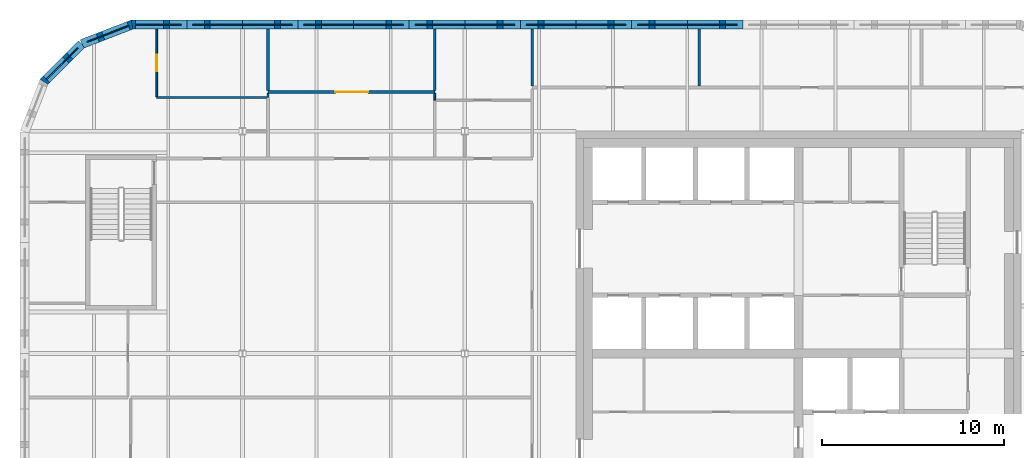
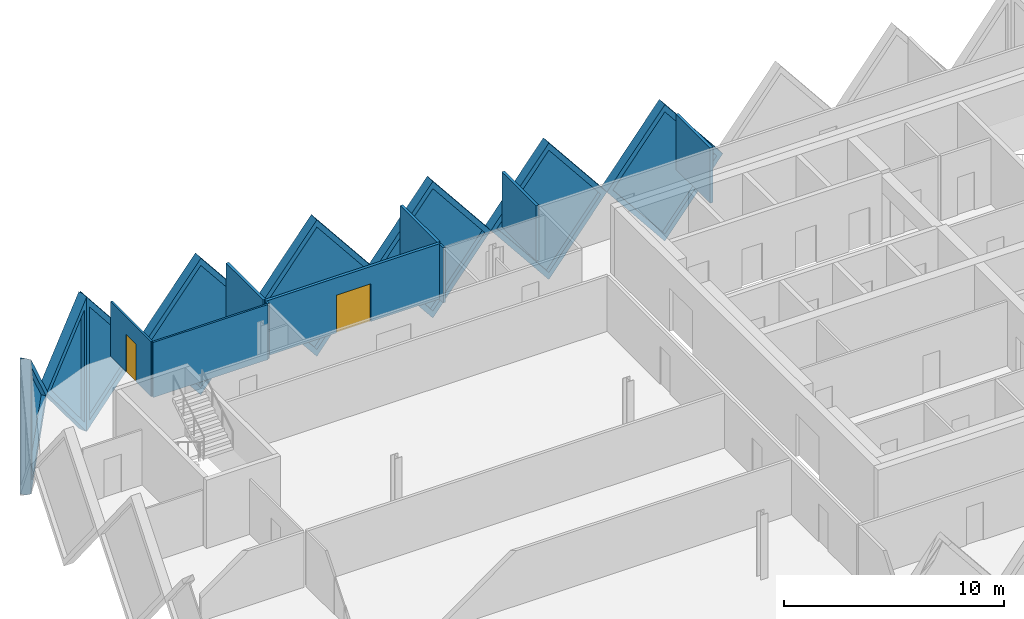
# One storey, part 8 of 10: 17 walls, 8 plates, 2 doors, 10 openings.
"""IFC4 building model written with IfcOpenShell, lengths in metres."""

from ifc_helpers import new_model, si_unit, direction, frame, frame_2d, origin, place, context, subcontext, project, spatial, polyline, rectangle, outline, extrude, faceted_brep, source, transform, mapped, material, layer, layer_set, type_object, element, fill, save


model = new_model("IFC4")

# Units and contexts
model_context = context("Model", 3, precision=1e-05, world=origin(), true_north=direction((0.0, 1.0)))
body_context = subcontext(model_context, "Body", "Model", "MODEL_VIEW")
ifc_project = project(units=[si_unit("LENGTHUNIT", "METRE"), si_unit("AREAUNIT", "SQUARE_METRE"), si_unit("VOLUMEUNIT", "CUBIC_METRE"), si_unit("PLANEANGLEUNIT", "RADIAN"), si_unit("MASSUNIT", "GRAM", prefix="KILO")], contexts=[model_context])

# Site, building, storey
site_placement = place(None, origin())
site = spatial("IfcSite", under=ifc_project, at=site_placement, CompositionType="ELEMENT")
building_placement = place(site_placement, origin())
building = spatial("IfcBuilding", under=site, at=building_placement, Name="Tessera Gate Towers", CompositionType="ELEMENT")
storey_placement = place(building_placement, frame((0.0, 0.0, 244.5)))
storey = spatial("IfcBuildingStorey", under=building, at=storey_placement, Name="L61", CompositionType="ELEMENT", Elevation=244.5)

# Walls
ifc_material_1 = material(Name="Glass", Category="glass")
ifc_layer_1 = layer(ifc_material_1, 0.10009765625)
ifc_layer_set_1 = layer_set([ifc_layer_1], Name="GLAZED PARTITION 100")
wall_type_1 = type_object("IfcWallType", Name="GLAZED PARTITION 100", PredefinedType="PARTITIONING", material=ifc_layer_set_1)
wall_1_placement = place(storey_placement, frame((22.75, 50.5009765625, 0.0), z_axis=(0.0, 0.0, 1.0), x_axis=(0.0, 1.0, 0.0)))
element("IfcWall", 1, at=wall_1_placement, inside=storey, type_object=wall_type_1, Name="T1-L61-PW-025", PredefinedType="PARTITIONING", context=body_context, shape_type="SweptSolid", body=[
    extrude(rectangle(XDim=0.373046875, YDim=0.10009765625, at=frame_2d((0.1865234375, 0.0))), origin(), (0.0, 0.0, 1.0), 3.06689453125),
])
wall_2_placement = place(storey_placement, frame((7.5, 50.64990234375, 0.0), z_axis=(0.0, 0.0, 1.0), x_axis=(1.0, 0.0, 0.0)))
element("IfcWall", 2, at=wall_2_placement, inside=storey, type_object=wall_type_1, Name="T1-L61-PW-027", PredefinedType="PARTITIONING", context=body_context, shape_type="SweptSolid", body=[
    extrude(rectangle(XDim=6.02392578125, YDim=0.10009765625, at=frame_2d((3.011962890625, 0.0))), origin(), (0.0, 0.0, 1.0), 3.06689453125),
])
wall_3_placement = place(storey_placement, frame((13.60009765625, 50.65087890625, 0.0), z_axis=(0.0, 0.0, 1.0), x_axis=(0.0, 1.0, 0.0)))
element("IfcWall", 3, at=wall_3_placement, inside=storey, type_object=wall_type_1, Name="T1-L61-PW-028", PredefinedType="PARTITIONING", context=body_context, shape_type="SweptSolid", body=[
    extrude(rectangle(XDim=0.22314453125, YDim=0.10009765625, at=frame_2d((0.111572265625, 0.0))), origin(), (0.0, 0.0, 1.0), 3.06689453125),
])

# Wall, opening, door
wall_4_placement = place(storey_placement, frame((7.5, 54.39990234375, 0.0), z_axis=(0.0, 0.0, 1.0), x_axis=(0.0, -1.0, 0.0)))
wall_4 = element("IfcWall", 4, at=wall_4_placement, inside=storey, type_object=wall_type_1, Name="T1-L61-PW-029", PredefinedType="PARTITIONING", context=body_context, shape_type="SweptSolid", body=[
    extrude(rectangle(XDim=3.698974609375, YDim=0.10009765625, at=frame_2d((1.849609375, 0.0))), origin(), (0.0, 0.0, 1.0), 3.06689453125),
])
shared_shape_1 = source(origin(), body_context, "Body", "SweptSolid", [
    extrude(rectangle(XDim=0.89990234375, YDim=2.10009765625, at=frame_2d((0.449951171875, 1.050048828125))), frame((0.0, 0.06005859375, 0.0), z_axis=(0.0, -1.0, 0.0), x_axis=(1.0, 0.0, 0.0)), (0.0, 0.0, 1.0), 0.1201171875),
])
opening_1_placement = place(wall_4_placement, frame((1.39892578125, 0.0, 0.0)))
opening_1 = element("IfcOpeningElement", 5, at=opening_1_placement, cuts=wall_4, Name="Opening D690-A21-05", PredefinedType="OPENING", context=body_context, shape_type="MappedRepresentation", body=[
    mapped(shared_shape_1, transform((0.0, 0.0, 0.0), scale=1.0)),
])
ifc_material_2 = material(Name="Glass in aluminium frame", Category="aluminium")
door_type_1 = type_object("IfcDoorType", Name="GLAZED DOOR 900 NOT RATED", OperationType="NOTDEFINED", PredefinedType="DOOR", material=ifc_material_2)
shared_shape_2 = source(origin(), body_context, "Body", "SweptSolid", [
    extrude(rectangle(XDim=0.89990234375, YDim=2.10009765625, at=frame_2d((0.449951171875, 1.050048828125))), frame((0.0, 0.02490234375, 0.0), z_axis=(0.0, -1.0, 0.0), x_axis=(1.0, 0.0, 0.0)), (0.0, 0.0, 1.0), 0.050048828125),
])
door_1_placement = place(opening_1_placement, origin())
door_1 = element("IfcDoor", 6, at=door_1_placement, inside=storey, type_object=door_type_1, Name="T1-L61-PD-014", OperationType="SINGLE_SWING_RIGHT", OverallHeight=2.10009765625, OverallWidth=0.89990234375, PredefinedType="DOOR", context=body_context, shape_type="MappedRepresentation", body=[
    mapped(shared_shape_2, transform((0.0, 0.0, 0.0), scale=1.0)),
])
fill(opening_1, door_1)

ifc_material_3 = material(Name="Gypsum board on steel studs, mineral wool", Category="steel")
ifc_layer_2 = layer(ifc_material_3, 0.14990234375)
ifc_layer_set_2 = layer_set([ifc_layer_2], Name="TENANCY WALL 150")
wall_type_2 = type_object("IfcWallType", Name="TENANCY WALL 150", PredefinedType="PARTITIONING", material=ifc_layer_set_2)
wall_5_placement = place(storey_placement, frame((13.60009765625, 50.949951171875, 0.0), z_axis=(0.0, 0.0, 1.0), x_axis=(1.0, 0.0, 0.0)))
wall_5 = element("IfcWall", 7, at=wall_5_placement, inside=storey, type_object=wall_type_2, Name="T1-L61-PW-030", PredefinedType="PARTITIONING", context=body_context, shape_type="SweptSolid", body=[
    extrude(rectangle(XDim=9.14990234375, YDim=0.14990234375, at=frame_2d((4.574951171875, 0.0))), origin(), (0.0, 0.0, 1.0), 3.06689453125),
])
shared_shape_3 = source(origin(), body_context, "Body", "SweptSolid", [
    extrude(rectangle(XDim=1.800048828125, YDim=2.10009765625, at=frame_2d((0.89990234375, 1.050048828125))), frame((0.0, 0.0849609375, 0.0), z_axis=(0.0, -1.0, 0.0), x_axis=(1.0, 0.0, 0.0)), (0.0, 0.0, 1.0), 0.169921875),
])
opening_2_placement = place(wall_5_placement, frame((3.699951171875, 0.0, 0.0)))
opening_2 = element("IfcOpeningElement", 8, at=opening_2_placement, cuts=wall_5, Name="Opening D7180-A21-01", PredefinedType="OPENING", context=body_context, shape_type="MappedRepresentation", body=[
    mapped(shared_shape_3, transform((0.0, 0.0, 0.0), scale=1.0)),
])
ifc_material_4 = material(Name="Timber door leaf in steel frame", Category="steel")
door_type_2 = type_object("IfcDoorType", Name="DOUBLE DOOR 1800 NOT RATED", OperationType="NOTDEFINED", PredefinedType="DOOR", material=ifc_material_4)
shared_shape_4 = source(origin(), body_context, "Body", "SweptSolid", [
    extrude(rectangle(XDim=1.800048828125, YDim=2.10009765625, at=frame_2d((0.89990234375, 1.050048828125))), frame((0.0, 0.02490234375, 0.0), z_axis=(0.0, -1.0, 0.0), x_axis=(1.0, 0.0, 0.0)), (0.0, 0.0, 1.0), 0.050048828125),
])
door_2_placement = place(opening_2_placement, origin())
door_2 = element("IfcDoor", 9, at=door_2_placement, inside=storey, type_object=door_type_2, Name="T1-L61-PD-013", OperationType="DOUBLE_DOOR_SINGLE_SWING", OverallHeight=2.10009765625, OverallWidth=1.800048828125, PredefinedType="DOOR", context=body_context, shape_type="MappedRepresentation", body=[
    mapped(shared_shape_4, transform((0.0, 0.0, 0.0), scale=1.0)),
])
fill(opening_2, door_2)

# Walls
for number, where, z_axis, x_axis, name in (
    (10, (13.60009765625, 51.02587890625, 0.0), (0.0, 0.0, 1.0), (0.0, 1.0, 0.0), "T1-L61-PW-031"),
    (11, (22.75, 51.02587890625, 0.0), (0.0, 0.0, 1.0), (0.0, 1.0, 0.0), "T1-L61-PW-032"),
):
    element("IfcWall", number, at=place(storey_placement, frame(where, z_axis=z_axis, x_axis=x_axis)), inside=storey, type_object=wall_type_2, Name=name, PredefinedType="PARTITIONING", context=body_context, shape_type="SweptSolid", body=[
        extrude(rectangle(XDim=3.3740234375, YDim=0.14990234375, at=frame_2d((1.68701171875, 0.0))), origin(), (0.0, 0.0, 1.0), 3.06689453125),
    ])
for number, where, z_axis, x_axis, name in (
    (12, (28.10009765625, 51.27587890625, 0.0), (0.0, 0.0, 1.0), (0.0, 1.0, 0.0), "T1-L61-PW-034"),
    (13, (37.25, 51.27587890625, 0.0), (0.0, 0.0, 1.0), (0.0, 1.0, 0.0), "T1-L61-PW-035"),
):
    element("IfcWall", number, at=place(storey_placement, frame(where, z_axis=z_axis, x_axis=x_axis)), inside=storey, type_object=wall_type_2, Name=name, PredefinedType="PARTITIONING", context=body_context, shape_type="SweptSolid", body=[
        extrude(rectangle(XDim=3.1240234375, YDim=0.14990234375, at=frame_2d((1.56201171875, 0.0))), origin(), (0.0, 0.0, 1.0), 3.06689453125),
    ])

# Wall, opening, plate
ifc_material_5 = material(Name="Precast concrete C60/75 white", Category="concrete")
ifc_layer_3 = layer(ifc_material_5, 0.5)
ifc_layer_set_3 = layer_set([ifc_layer_3], Name="TS1 tessera")
wall_type_3 = type_object("IfcWallType", Name="TS1 tessera", PredefinedType="SOLIDWALL", material=ifc_layer_set_3)
shared_shape_5 = source(origin(), body_context, "Body", "Brep", [
    faceted_brep([(3.050048828125, -0.25, 0.0), (6.099853515625, -0.25, 3.7998046875), (6.099853515625, -0.25, 3.80029296875), (3.050048828125, -0.25, 7.60009765625), (0.0, -0.25, 3.800048828125), (0.0, 0.25, 3.800048828125), (3.050048828125, 0.25, 7.60009765625), (6.099853515625, 0.25, 3.80029296875), (6.099853515625, 0.25, 3.7998046875), (3.050048828125, 0.25, 0.0)], [[[0, 1, 2, 3, 4]], [[5, 6, 7, 8, 9]], [[9, 8, 1, 0]], [[7, 6, 3, 2]], [[6, 5, 4, 3]], [[5, 9, 0, 4]], [[1, 8, 7, 2]]]),
])
wall_6_placement = place(storey_placement, frame((39.64990234375, 54.64990234375, -3.800048828125), z_axis=(0.0, 0.0, 1.0), x_axis=(-1.0, 0.0, 0.0)))
wall_6 = element("IfcWall", 14, at=wall_6_placement, inside=storey, type_object=wall_type_3, Name="Precast tessera T1 TS1-1070", PredefinedType="SOLIDWALL", context=body_context, shape_type="MappedRepresentation", body=[
    mapped(shared_shape_5, transform((0.0, 0.0, 0.0), scale=1.0)),
])
shared_shape_6 = source(origin(), body_context, "Body", "SweptSolid", [
    extrude(outline(polyline([(3.050048828125, 0.3994140625), (5.779541015625, 3.800048828125), (3.050048828125, 7.20068359375), (0.320556640625, 3.800048828125), (3.050048828125, 0.3994140625)])), frame((0.0, 0.260009765625, 0.0), z_axis=(0.0, -1.0, 0.0), x_axis=(1.0, 0.0, 0.0)), (0.0, 0.0, 1.0), 0.52001953125),
])
opening_3_placement = place(wall_6_placement, origin())
opening_3 = element("IfcOpeningElement", 15, at=opening_3_placement, cuts=wall_6, Name="Opening T1-PL2-2180", PredefinedType="OPENING", context=body_context, shape_type="MappedRepresentation", body=[
    mapped(shared_shape_6, transform((0.0, 0.0, 0.0), scale=1.0)),
])
ifc_material_6 = material(Name="Low-e laminated glass", Category="glass")
ifc_layer_4 = layer(ifc_material_6, 0.06005859375)
ifc_layer_set_4 = layer_set([ifc_layer_4], Name="PL2 rhombic pane")
plate_type = type_object("IfcPlateType", Name="PL2 rhombic pane", PredefinedType="SHEET", material=ifc_layer_set_4)
shared_shape_7 = source(origin(), body_context, "Body", "SweptSolid", [
    extrude(outline(polyline([(3.050048828125, 0.3994140625), (5.779541015625, 3.800048828125), (3.050048828125, 7.20068359375), (0.320556640625, 3.800048828125), (3.050048828125, 0.3994140625)])), frame((0.0, 0.030029296875, 0.0), z_axis=(0.0, -1.0, 0.0), x_axis=(1.0, 0.0, 0.0)), (0.0, 0.0, 1.0), 0.06005859375),
])
plate_1_placement = place(opening_3_placement, origin())
plate_1 = element("IfcPlate", 16, at=plate_1_placement, inside=storey, type_object=plate_type, Name="Glass pane T1 PL2-2180", PredefinedType="SHEET", context=body_context, shape_type="MappedRepresentation", body=[
    mapped(shared_shape_7, transform((0.0, 0.0, 0.0), scale=1.0)),
])
fill(opening_3, plate_1)

wall_7_placement = place(storey_placement, frame((27.449951171875, 54.64990234375, -3.800048828125), z_axis=(0.0, 0.0, 1.0), x_axis=(-1.0, 0.0, 0.0)))
wall_7 = element("IfcWall", 17, at=wall_7_placement, inside=storey, type_object=wall_type_3, Name="Precast tessera T1 TS1-1072", PredefinedType="SOLIDWALL", context=body_context, shape_type="MappedRepresentation", body=[
    mapped(shared_shape_5, transform((0.0, 0.0, 0.0), scale=1.0)),
])
opening_4_placement = place(wall_7_placement, origin())
opening_4 = element("IfcOpeningElement", 18, at=opening_4_placement, cuts=wall_7, Name="Opening T1-PL2-2182", PredefinedType="OPENING", context=body_context, shape_type="MappedRepresentation", body=[
    mapped(shared_shape_6, transform((0.0, 0.0, 0.0), scale=1.0)),
])
plate_2_placement = place(opening_4_placement, origin())
plate_2 = element("IfcPlate", 19, at=plate_2_placement, inside=storey, type_object=plate_type, Name="Glass pane T1 PL2-2182", PredefinedType="SHEET", context=body_context, shape_type="MappedRepresentation", body=[
    mapped(shared_shape_7, transform((0.0, 0.0, 0.0), scale=1.0)),
])
fill(opening_4, plate_2)

shared_shape_8 = source(origin(), body_context, "Body", "SweptSolid", [
    extrude(outline(polyline([(3.050048828125, 0.0), (6.10009765625, 3.800048828125), (3.050048828125, 7.60009765625), (0.0, 3.800048828125), (3.050048828125, 0.0)])), frame((0.0, 0.25, 0.0), z_axis=(0.0, -1.0, 0.0), x_axis=(1.0, 0.0, 0.0)), (0.0, 0.0, 1.0), 0.5),
])
wall_8_placement = place(storey_placement, frame((33.550048828125, 54.64990234375, -3.800048828125), z_axis=(0.0, 0.0, 1.0), x_axis=(-1.0, 0.0, 0.0)))
wall_8 = element("IfcWall", 20, at=wall_8_placement, inside=storey, type_object=wall_type_3, Name="Precast tessera T1 TS1-1071", PredefinedType="SOLIDWALL", context=body_context, shape_type="MappedRepresentation", body=[
    mapped(shared_shape_8, transform((0.0, 0.0, 0.0), scale=1.0)),
])
opening_5_placement = place(wall_8_placement, origin())
opening_5 = element("IfcOpeningElement", 21, at=opening_5_placement, cuts=wall_8, Name="Opening T1-PL2-2181", PredefinedType="OPENING", context=body_context, shape_type="MappedRepresentation", body=[
    mapped(shared_shape_6, transform((0.0, 0.0, 0.0), scale=1.0)),
])
plate_3_placement = place(opening_5_placement, origin())
plate_3 = element("IfcPlate", 22, at=plate_3_placement, inside=storey, type_object=plate_type, Name="Glass pane T1 PL2-2181", PredefinedType="SHEET", context=body_context, shape_type="MappedRepresentation", body=[
    mapped(shared_shape_7, transform((0.0, 0.0, 0.0), scale=1.0)),
])
fill(opening_5, plate_3)

wall_9_placement = place(storey_placement, frame((21.35009765625, 54.64990234375, -3.800048828125), z_axis=(0.0, 0.0, 1.0), x_axis=(-1.0, 0.0, 0.0)))
wall_9 = element("IfcWall", 23, at=wall_9_placement, inside=storey, type_object=wall_type_3, Name="Precast tessera T1 TS1-1073", PredefinedType="SOLIDWALL", context=body_context, shape_type="MappedRepresentation", body=[
    mapped(shared_shape_8, transform((0.0, 0.0, 0.0), scale=1.0)),
])
opening_6_placement = place(wall_9_placement, origin())
opening_6 = element("IfcOpeningElement", 24, at=opening_6_placement, cuts=wall_9, Name="Opening T1-PL2-2183", PredefinedType="OPENING", context=body_context, shape_type="MappedRepresentation", body=[
    mapped(shared_shape_6, transform((0.0, 0.0, 0.0), scale=1.0)),
])
plate_4_placement = place(opening_6_placement, origin())
plate_4 = element("IfcPlate", 25, at=plate_4_placement, inside=storey, type_object=plate_type, Name="Glass pane T1 PL2-2183", PredefinedType="SHEET", context=body_context, shape_type="MappedRepresentation", body=[
    mapped(shared_shape_7, transform((0.0, 0.0, 0.0), scale=1.0)),
])
fill(opening_6, plate_4)

wall_10_placement = place(storey_placement, frame((15.25, 54.64990234375, -3.800048828125), z_axis=(0.0, 0.0, 1.0), x_axis=(-1.0, 0.0, 0.0)))
wall_10 = element("IfcWall", 26, at=wall_10_placement, inside=storey, type_object=wall_type_3, Name="Precast tessera T1 TS1-1074", PredefinedType="SOLIDWALL", context=body_context, shape_type="MappedRepresentation", body=[
    mapped(shared_shape_8, transform((0.0, 0.0, 0.0), scale=1.0)),
])
opening_7_placement = place(wall_10_placement, origin())
opening_7 = element("IfcOpeningElement", 27, at=opening_7_placement, cuts=wall_10, Name="Opening T1-PL2-2184", PredefinedType="OPENING", context=body_context, shape_type="MappedRepresentation", body=[
    mapped(shared_shape_6, transform((0.0, 0.0, 0.0), scale=1.0)),
])
plate_5_placement = place(opening_7_placement, origin())
plate_5 = element("IfcPlate", 28, at=plate_5_placement, inside=storey, type_object=plate_type, Name="Glass pane T1 PL2-2184", PredefinedType="SHEET", context=body_context, shape_type="MappedRepresentation", body=[
    mapped(shared_shape_7, transform((0.0, 0.0, 0.0), scale=1.0)),
])
fill(opening_7, plate_5)

ifc_material_7 = material(Name="Precast concrete C60/75 white", Category="concrete")
ifc_layer_5 = layer(ifc_material_7, 0.5)
ifc_layer_set_5 = layer_set([ifc_layer_5], Name="TS3 corner tessera")
wall_type_4 = type_object("IfcWallType", Name="TS3 corner tessera", PredefinedType="SOLIDWALL", material=ifc_layer_set_5)
shared_shape_9 = source(origin(), body_context, "Body", "Brep", [
    faceted_brep([(3.00341796875, -0.25, 0.0), (3.050048828125, -0.25, 0.06005859375), (3.050048828125, -0.25, 7.5400390625), (3.00341796875, -0.25, 7.60009765625), (0.0, -0.25, 3.800048828125), (0.0, 0.25, 3.800048828125), (2.956787109375, 0.25, 7.541259765625), (2.956787109375, 0.25, 0.058837890625), (3.00341796875, 0.000244140625, 0.0), (3.00341796875, 0.000244140625, 7.60009765625)], [[[0, 1, 2, 3, 4]], [[5, 6, 7]], [[1, 0, 8]], [[9, 3, 2]], [[6, 5, 4, 3, 9]], [[5, 7, 8, 0, 4]], [[1, 8, 7, 6, 9, 2]]]),
])
wall_11_placement = place(storey_placement, frame((9.14990234375, 54.64990234375, -3.800048828125), z_axis=(0.0, 0.0, 1.0), x_axis=(-1.0, 0.0, 0.0)))
wall_11 = element("IfcWall", 29, at=wall_11_placement, inside=storey, type_object=wall_type_4, Name="Precast corner tessera T1 TS3-1411", PredefinedType="SOLIDWALL", context=body_context, shape_type="MappedRepresentation", body=[
    mapped(shared_shape_9, transform((0.0, 0.0, 0.0), scale=1.0)),
])
shared_shape_10 = source(origin(), body_context, "Body", "SweptSolid", [
    extrude(outline(polyline([(2.803466796875, 6.94384765625), (0.318603515625, 3.800048828125), (2.803466796875, 0.65625), (2.803466796875, 6.94384765625)])), frame((0.0, 0.260009765625, 0.0), z_axis=(0.0, -1.0, 0.0), x_axis=(1.0, 0.0, 0.0)), (0.0, 0.0, 1.0), 0.52001953125),
])
opening_8_placement = place(wall_11_placement, origin())
opening_8 = element("IfcOpeningElement", 30, at=opening_8_placement, cuts=wall_11, Name="Opening T1-PL2-2185", PredefinedType="OPENING", context=body_context, shape_type="MappedRepresentation", body=[
    mapped(shared_shape_10, transform((0.0, 0.0, 0.0), scale=1.0)),
])
shared_shape_11 = source(origin(), body_context, "Body", "SweptSolid", [
    extrude(outline(polyline([(2.803466796875, 6.94384765625), (0.318603515625, 3.800048828125), (2.803466796875, 0.65625), (2.803466796875, 6.94384765625)])), frame((0.0, 0.030029296875, 0.0), z_axis=(0.0, -1.0, 0.0), x_axis=(1.0, 0.0, 0.0)), (0.0, 0.0, 1.0), 0.06005859375),
])
plate_6_placement = place(opening_8_placement, origin())
plate_6 = element("IfcPlate", 31, at=plate_6_placement, inside=storey, type_object=plate_type, Name="Glass pane T1 PL2-2185", PredefinedType="SHEET", context=body_context, shape_type="MappedRepresentation", body=[
    mapped(shared_shape_11, transform((0.0, 0.0, 0.0), scale=1.0)),
])
fill(opening_8, plate_6)

shared_shape_12 = source(origin(), body_context, "Body", "Brep", [
    faceted_brep([(0.046630859375, -0.25, 0.0), (2.9970703125, -0.25, 3.800048828125), (0.046630859375, -0.25, 7.60009765625), (0.0, -0.25, 7.541259765625), (0.0, -0.25, 0.058837890625), (0.09326171875, 0.25, 7.5400390625), (2.9443359375, 0.25, 3.8681640625), (2.9443359375, 0.25, 3.73193359375), (0.09326171875, 0.25, 0.06005859375), (2.9970703125, 0.00048828125, 3.800048828125), (0.046630859375, 0.0, 0.0), (0.046630859375, 0.0, 7.60009765625)], [[[0, 1, 2, 3, 4]], [[5, 6, 7, 8]], [[8, 7, 9, 1, 0, 10]], [[6, 5, 11, 2, 1, 9]], [[3, 2, 11]], [[10, 0, 4]], [[8, 10, 4, 3, 11, 5]], [[9, 7, 6]]]),
])
wall_12_placement = place(storey_placement, frame((6.18994140625, 54.666748046875, -3.800048828125), z_axis=(0.0, 0.0, 1.0), x_axis=(-0.932990326376, -0.359901446078, 0.0)))
wall_12 = element("IfcWall", 32, at=wall_12_placement, inside=storey, type_object=wall_type_4, Name="Precast corner tessera T1 TS3-1412", PredefinedType="SOLIDWALL", context=body_context, shape_type="MappedRepresentation", body=[
    mapped(shared_shape_12, transform((0.0, 0.0, 0.0), scale=1.0)),
])
shared_shape_13 = source(origin(), body_context, "Body", "SweptSolid", [
    extrude(outline(polyline([(0.24658203125, 0.665283203125), (2.6806640625, 3.800048828125), (0.24658203125, 6.934814453125), (0.24658203125, 0.665283203125)])), frame((0.0, 0.260009765625, 0.0), z_axis=(0.0, -1.0, 0.0), x_axis=(1.0, 0.0, 0.0)), (0.0, 0.0, 1.0), 0.52001953125),
])
opening_9_placement = place(wall_12_placement, origin())
opening_9 = element("IfcOpeningElement", 33, at=opening_9_placement, cuts=wall_12, Name="Opening T1-PL2-2186", PredefinedType="OPENING", context=body_context, shape_type="MappedRepresentation", body=[
    mapped(shared_shape_13, transform((0.0, 0.0, 0.0), scale=1.0)),
])
shared_shape_14 = source(origin(), body_context, "Body", "SweptSolid", [
    extrude(outline(polyline([(0.24658203125, 0.665283203125), (2.6806640625, 3.800048828125), (0.24658203125, 6.934814453125), (0.24658203125, 0.665283203125)])), frame((0.0, 0.030029296875, 0.0), z_axis=(0.0, -1.0, 0.0), x_axis=(1.0, 0.0, 0.0)), (0.0, 0.0, 1.0), 0.06005859375),
])
plate_7_placement = place(opening_9_placement, origin())
plate_7 = element("IfcPlate", 34, at=plate_7_placement, inside=storey, type_object=plate_type, Name="Glass pane T1 PL2-2186", PredefinedType="SHEET", context=body_context, shape_type="MappedRepresentation", body=[
    mapped(shared_shape_14, transform((0.0, 0.0, 0.0), scale=1.0)),
])
fill(opening_9, plate_7)

shared_shape_15 = source(origin(), body_context, "Body", "Brep", [
    faceted_brep([(2.944091796875, -0.25, 0.0), (2.9970703125, -0.25, 0.068115234375), (2.9970703125, -0.25, 7.531982421875), (2.944091796875, -0.25, 7.60009765625), (0.0, -0.25, 3.800048828125), (0.052978515625, 0.25, 3.868408203125), (2.89111328125, 0.25, 7.531982421875), (2.89111328125, 0.25, 0.068115234375), (0.052978515625, 0.25, 3.731689453125), (2.944091796875, 0.000244140625, 0.0), (2.944091796875, 0.000244140625, 7.60009765625), (0.0, 0.0, 3.800048828125)], [[[0, 1, 2, 3, 4]], [[5, 6, 7, 8]], [[1, 0, 9]], [[10, 3, 2]], [[6, 5, 11, 4, 3, 10]], [[8, 7, 9, 0, 4, 11]], [[8, 11, 5]], [[1, 9, 7, 6, 10, 2]]]),
])
wall_13_placement = place(storey_placement, frame((3.393798828125, 53.588134765625, -3.800048828125), z_axis=(0.0, 0.0, 1.0), x_axis=(-0.707106781187, -0.707106781187, 0.0)))
wall_13 = element("IfcWall", 35, at=wall_13_placement, inside=storey, type_object=wall_type_4, Name="Precast corner tessera T1 TS3-1413", PredefinedType="SOLIDWALL", context=body_context, shape_type="MappedRepresentation", body=[
    mapped(shared_shape_15, transform((0.0, 0.0, 0.0), scale=1.0)),
])
shared_shape_16 = source(origin(), body_context, "Body", "SweptSolid", [
    extrude(outline(polyline([(2.744140625, 6.933837890625), (0.316162109375, 3.800048828125), (2.744140625, 0.666259765625), (2.744140625, 6.933837890625)])), frame((0.0, 0.260009765625, 0.0), z_axis=(0.0, -1.0, 0.0), x_axis=(1.0, 0.0, 0.0)), (0.0, 0.0, 1.0), 0.52001953125),
])
opening_10_placement = place(wall_13_placement, origin())
opening_10 = element("IfcOpeningElement", 36, at=opening_10_placement, cuts=wall_13, Name="Opening T1-PL2-2187", PredefinedType="OPENING", context=body_context, shape_type="MappedRepresentation", body=[
    mapped(shared_shape_16, transform((0.0, 0.0, 0.0), scale=1.0)),
])
shared_shape_17 = source(origin(), body_context, "Body", "SweptSolid", [
    extrude(outline(polyline([(2.744140625, 6.933837890625), (0.316162109375, 3.800048828125), (2.744140625, 0.666259765625), (2.744140625, 6.933837890625)])), frame((0.0, 0.030029296875, 0.0), z_axis=(0.0, -1.0, 0.0), x_axis=(1.0, 0.0, 0.0)), (0.0, 0.0, 1.0), 0.06005859375),
])
plate_8_placement = place(opening_10_placement, origin())
plate_8 = element("IfcPlate", 37, at=plate_8_placement, inside=storey, type_object=plate_type, Name="Glass pane T1 PL2-2187", PredefinedType="SHEET", context=body_context, shape_type="MappedRepresentation", body=[
    mapped(shared_shape_17, transform((0.0, 0.0, 0.0), scale=1.0)),
])
fill(opening_10, plate_8)

save(model, "model.ifc")
